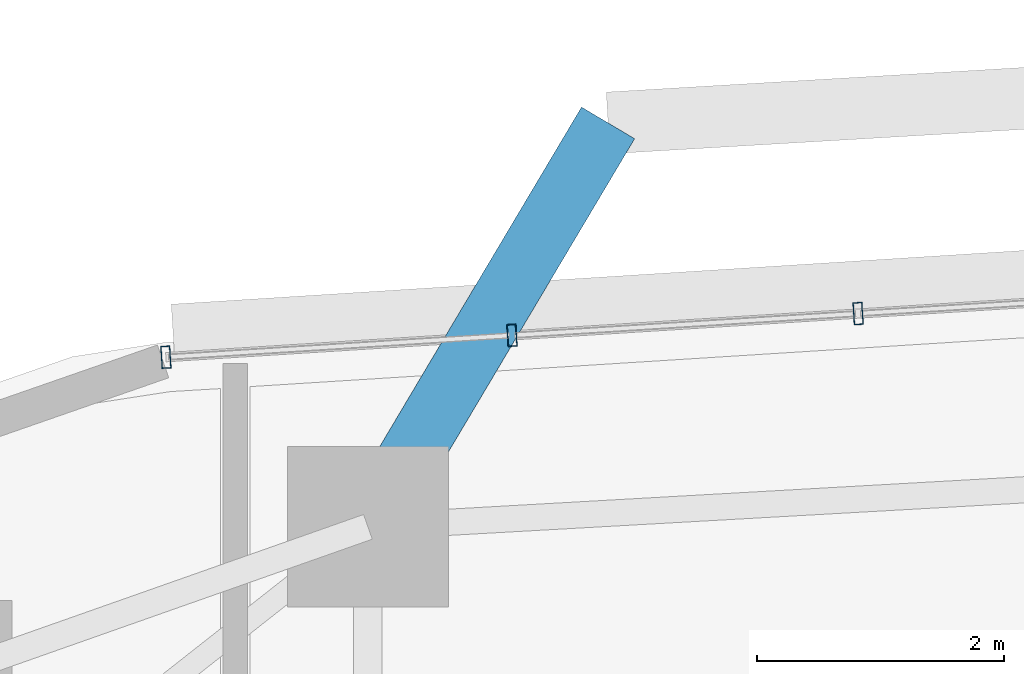
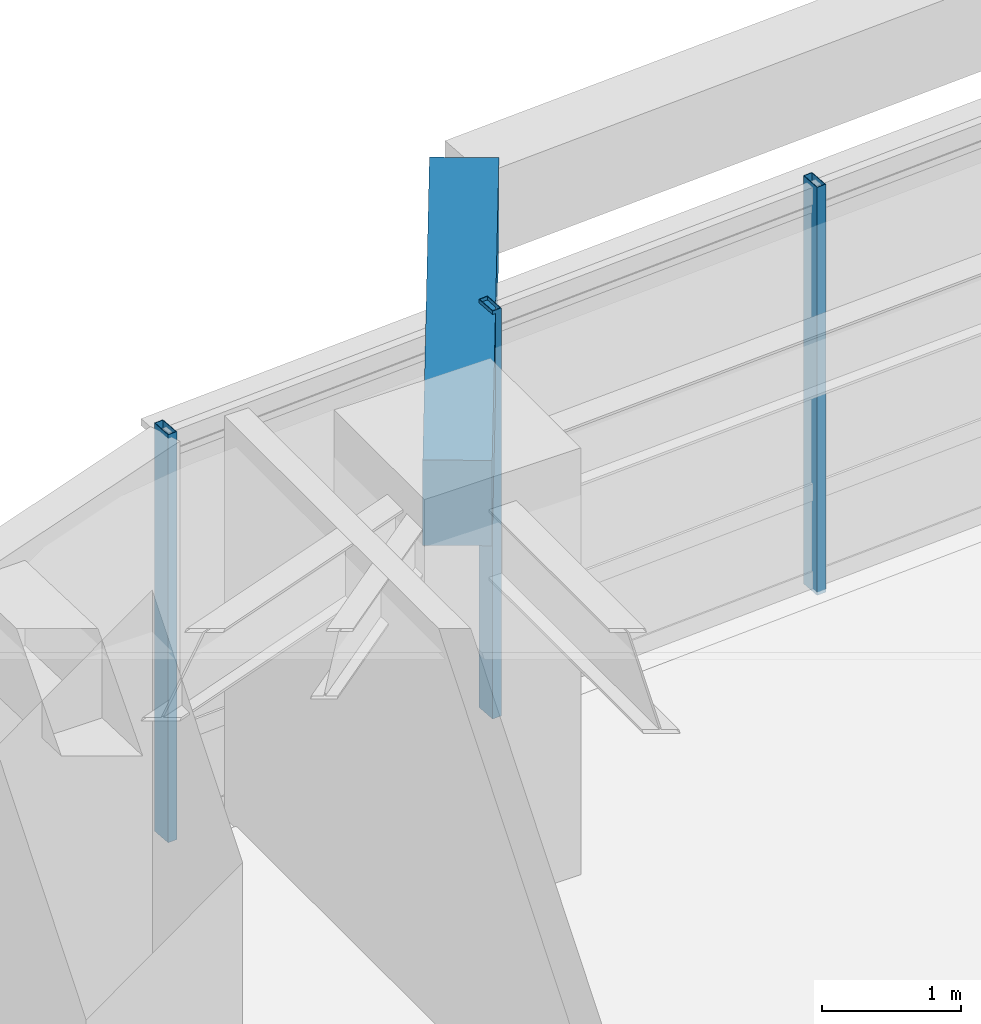
# One storey, part 2 of 14: 3 members, 1 beam, 1 element without a shape of its own.
"""IFC4 building model written with IfcOpenShell, lengths in metres."""

from ifc_helpers import new_model, si_unit, direction, frame, origin, origin_2d, place, context, subcontext, project, spatial, rectangle, hollow_rectangle, extrude, material, material_profile, profile_set, type_object, element, aggregate, save


model = new_model("IFC4")

# Units and contexts
model_context = context("Model", 3, precision=1e-05, world=origin(), true_north=direction((0.0, 1.0)))
body_context = subcontext(model_context, "Body", "Model", "MODEL_VIEW")
ifc_project = project(units=[si_unit("LENGTHUNIT", "METRE"), si_unit("AREAUNIT", "SQUARE_METRE"), si_unit("VOLUMEUNIT", "CUBIC_METRE"), si_unit("PLANEANGLEUNIT", "RADIAN"), si_unit("MASSUNIT", "GRAM", prefix="KILO")], contexts=[model_context])

# Site, building, storey
site_placement = place(None, origin())
site = spatial("IfcSite", under=ifc_project, at=site_placement, CompositionType="ELEMENT")
building_placement = place(site_placement, origin())
building = spatial("IfcBuilding", under=site, at=building_placement, Name="Zulverin Broadcast Headquarters", CompositionType="ELEMENT")
storey_placement = place(building_placement, frame((0.0, 0.0, 55.39990234375)))
storey = spatial("IfcBuildingStorey", under=building, at=storey_placement, Name="L13", CompositionType="ELEMENT", Elevation=55.39990234375)

# Beam
ifc_material_1 = material(Name="Concrete C40/50", Category="concrete")
ifc_material_profile_1 = material_profile(ifc_material_1, rectangle(XDim=0.5, YDim=0.75, at=origin_2d()), Name="Concrete C40/50", Category="concrete")
ifc_profile_set_1 = profile_set([ifc_material_profile_1], Name="Concrete C40/50")
beam_type = type_object("IfcBeamType", Name="BM-RC-500x750", PredefinedType="BEAM", material=ifc_profile_set_1)
beam_placement = place(storey_placement, frame((29.873779296875, 46.482177734375, 3.150146484375), z_axis=(0.511024077234, 0.859566397952, 0.0), x_axis=(-0.859566397952, 0.511024077234, 0.0)))
element("IfcBeam", 1, at=beam_placement, inside=storey, type_object=beam_type, Name="L14 Balcony Column-Framed Cantilever BAL_N-2", PredefinedType="BEAM", context=body_context, shape_type="SweptSolid", body=[
    extrude(rectangle(XDim=0.5, YDim=0.75, at=origin_2d()), origin(), (0.0, 0.0, 1.0), 3.800048828125),
])

# Curtain wall, members
ifc_material_2 = material(Name="Low-zone ribbon unitised curtain wall", Category="aluminium")
curtain_wall_type = type_object("IfcCurtainWallType", Name="CW-TWR-LOW", PredefinedType="USERDEFINED", material=ifc_material_2)
curtain_wall_placement = place(storey_placement, origin())
curtain_wall = element("IfcCurtainWall", 2, at=curtain_wall_placement, inside=storey, type_object=curtain_wall_type, Name="L13 Unitised Curtain Wall CW-L13-E5", ObjectType="UNITISED CURTAIN WALL", PredefinedType="USERDEFINED")
ifc_material_3 = material(Name="Anodized pale-metal aluminium alloy 6063-T6", Category="aluminium")
ifc_material_profile_2 = material_profile(ifc_material_3, hollow_rectangle(XDim=0.074951171875, YDim=0.179931640625, WallThickness=0.0048828125, at=origin_2d()), Name="Anodized pale-metal aluminium alloy 6063-T6", Category="aluminium")
ifc_profile_set_2 = profile_set([ifc_material_profile_2], Name="Anodized pale-metal aluminium alloy 6063-T6")
member_type = type_object("IfcMemberType", Name="CW-MUL-180", PredefinedType="MULLION", material=ifc_profile_set_2)
member_1_placement = place(storey_placement, frame((33.83740234375, 48.206787109375, -0.02978515625), z_axis=(0.0, 0.0, 1.0), x_axis=(-0.998017621976, -0.062935095345, 0.0)))
member_1 = element("IfcMember", 3, at=member_1_placement, type_object=member_type, Name="CW-L13-E5 Mullion 05", PredefinedType="MULLION", context=body_context, shape_type="SweptSolid", body=[
    extrude(hollow_rectangle(XDim=0.074951171875, YDim=0.179931640625, WallThickness=0.0048828125, at=origin_2d()), origin(), (0.0, 0.0, 1.0), 3.5849609375),
])
member_2_placement = place(storey_placement, frame((31.03857421875, 48.030517578125, -0.02978515625), z_axis=(0.0, 0.0, 1.0), x_axis=(-0.998017621976, -0.062935095345, 0.0)))
member_2 = element("IfcMember", 4, at=member_2_placement, type_object=member_type, Name="CW-L13-E5 Mullion 06", PredefinedType="MULLION", context=body_context, shape_type="SweptSolid", body=[
    extrude(hollow_rectangle(XDim=0.074951171875, YDim=0.179931640625, WallThickness=0.0048828125, at=origin_2d()), origin(), (0.0, 0.0, 1.0), 3.5849609375),
])
member_3_placement = place(storey_placement, frame((28.239990234375, 47.85400390625, -0.02978515625), z_axis=(0.0, 0.0, 1.0), x_axis=(-0.998017621976, -0.062935095345, 0.0)))
member_3 = element("IfcMember", 5, at=member_3_placement, type_object=member_type, Name="CW-L13-E5 Mullion 07", PredefinedType="MULLION", context=body_context, shape_type="SweptSolid", body=[
    extrude(hollow_rectangle(XDim=0.074951171875, YDim=0.179931640625, WallThickness=0.0048828125, at=origin_2d()), origin(), (0.0, 0.0, 1.0), 3.5849609375),
])
aggregate(curtain_wall, [member_1, member_2, member_3])

save(model, "model.ifc")
